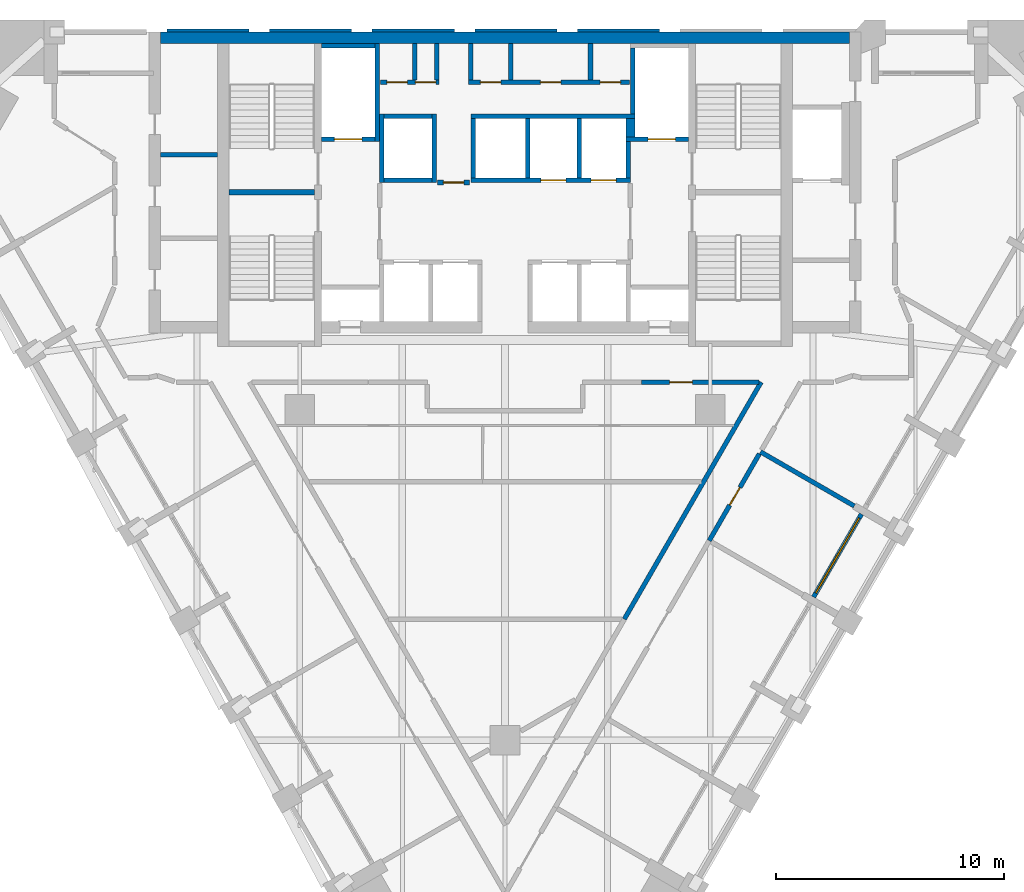
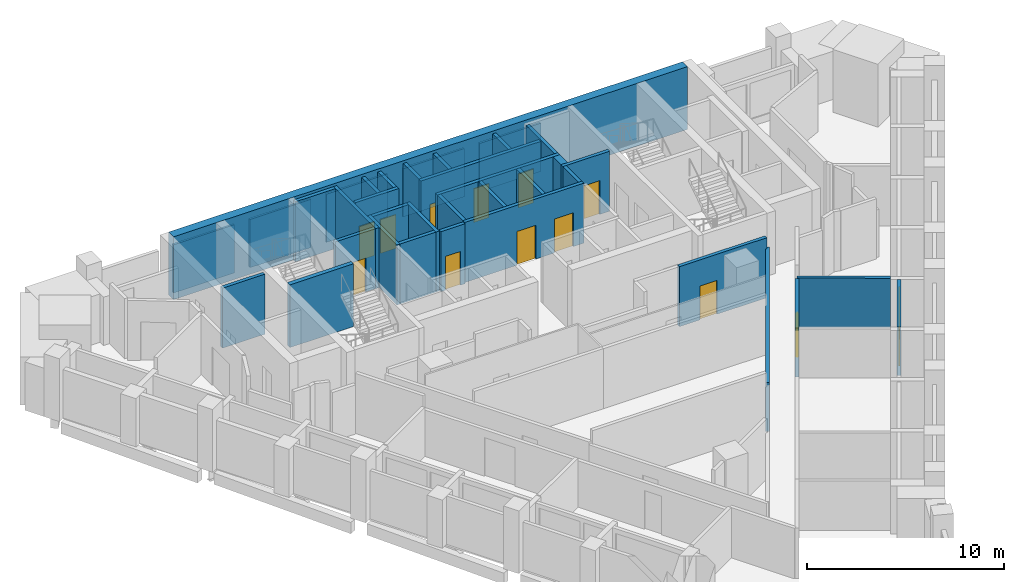
# One storey, part 6 of 10: 37 walls, 12 doors, 1 window, 13 openings.
"""IFC4 building model written with IfcOpenShell, lengths in metres."""

from ifc_helpers import new_model, si_unit, direction, frame, frame_2d, origin, place, context, subcontext, project, spatial, polyline, rectangle, outline, extrude, material, layer, layer_set, type_object, element, fill, save


model = new_model("IFC4")

# Units and contexts
model_context = context("Model", 3, precision=1e-05, world=origin(), true_north=direction((0.0, 1.0)))
body_context = subcontext(model_context, "Body", "Model", "MODEL_VIEW")
ifc_project = project(units=[si_unit("LENGTHUNIT", "METRE"), si_unit("AREAUNIT", "SQUARE_METRE"), si_unit("VOLUMEUNIT", "CUBIC_METRE"), si_unit("PLANEANGLEUNIT", "RADIAN"), si_unit("MASSUNIT", "GRAM", prefix="KILO")], contexts=[model_context])

# Site, building, storey
site_placement = place(None, origin())
site = spatial("IfcSite", under=ifc_project, at=site_placement, CompositionType="ELEMENT")
building_placement = place(site_placement, origin())
building = spatial("IfcBuilding", under=site, at=building_placement, Name="Calabash Gate Tower", CompositionType="ELEMENT")
storey_placement = place(building_placement, frame((0.0, 0.0, 175.800048828125)))
storey = spatial("IfcBuildingStorey", under=building, at=storey_placement, Name="L41", CompositionType="ELEMENT", Elevation=175.800048828125)

# Walls
ifc_material_1 = material(Name="Gypsum board on steel studs, mineral wool", Category="steel")
ifc_layer_1 = layer(ifc_material_1, 0.199951171875)
ifc_layer_set_1 = layer_set([ifc_layer_1], Name="Core partition 200 gypsum board")
wall_type_1 = type_object("IfcWallType", Name="Core partition 200 gypsum board", PredefinedType="PARTITIONING", material=ifc_layer_set_1)
wall_1_placement = place(storey_placement, frame((-15.10009765625, 13.672607421875, 0.0), z_axis=(0.0, 0.0, 1.0), x_axis=(1.0, 0.0, 0.0)))
element("IfcWall", 1, at=wall_1_placement, inside=storey, type_object=wall_type_1, Name="Core partition", PredefinedType="PARTITIONING", context=body_context, shape_type="SweptSolid", body=[
    extrude(rectangle(XDim=2.5, YDim=0.199951171875, at=frame_2d((1.25, 0.0))), origin(), (0.0, 0.0, 1.0), 3.72998046875),
])
for number, where, z_axis, x_axis, name in (
    (2, (-3.949951171875, 16.95263671875, 0.0), (0.0, 0.0, 1.0), (0.0, 1.0, 0.0), "Core partition"),
    (3, (-3.0, 16.95263671875, 0.0), (0.0, 0.0, 1.0), (0.0, 1.0, 0.0), "Core partition"),
    (4, (-1.5, 16.95263671875, 0.0), (0.0, 0.0, 1.0), (0.0, 1.0, 0.0), "Core partition"),
    (5, (0.25, 16.95263671875, 0.0), (0.0, 0.0, 1.0), (0.0, 1.0, 0.0), "Core partition"),
    (6, (3.75, 16.95263671875, 0.0), (0.0, 0.0, 1.0), (0.0, 1.0, 0.0), "Core partition"),
):
    element("IfcWall", number, at=place(storey_placement, frame(where, z_axis=z_axis, x_axis=x_axis)), inside=storey, type_object=wall_type_1, Name=name, PredefinedType="PARTITIONING", context=body_context, shape_type="SweptSolid", body=[
        extrude(rectangle(XDim=1.599853515625, YDim=0.199951171875, at=frame_2d((0.7998046875, 0.0))), origin(), (0.0, 0.0, 1.0), 3.72998046875),
    ])
ifc_material_2 = material(Name="Concrete C70/85", Category="concrete")
ifc_layer_2 = layer(ifc_material_2, 0.25)
ifc_layer_set_2 = layer_set([ifc_layer_2], Name="Core wall 250 Concrete C70/85")
wall_type_2 = type_object("IfcWallType", Name="Core wall 250 Concrete C70/85", PredefinedType="SHEAR", material=ifc_layer_set_2)
wall_2_placement = place(storey_placement, frame((-12.10009765625, 12.027587890625, 0.0), z_axis=(0.0, 0.0, 1.0), x_axis=(1.0, 0.0, 0.0)))
element("IfcWall", 7, at=wall_2_placement, inside=storey, type_object=wall_type_2, Name="Core wall Z3-MIDW L41", PredefinedType="SHEAR", context=body_context, shape_type="SweptSolid", body=[
    extrude(rectangle(XDim=3.75, YDim=0.25, at=frame_2d((1.875, 0.0))), origin(), (0.0, 0.0, 1.0), 3.89990234375),
])
ifc_material_3 = material(Name="Concrete C70/85", Category="concrete")
ifc_layer_3 = layer(ifc_material_3, 0.5)
ifc_layer_set_3 = layer_set([ifc_layer_3], Name="Core wall 500 Concrete C70/85")
wall_type_3 = type_object("IfcWallType", Name="Core wall 500 Concrete C70/85", PredefinedType="SHEAR", material=ifc_layer_set_3)
wall_3_placement = place(storey_placement, frame((-15.10009765625, 18.802490234375, 0.0), z_axis=(0.0, 0.0, 1.0), x_axis=(1.0, 0.0, 0.0)))
element("IfcWall", 8, at=wall_3_placement, inside=storey, type_object=wall_type_3, Name="Core wall Z3-N L41", PredefinedType="SHEAR", context=body_context, shape_type="SweptSolid", body=[
    extrude(rectangle(XDim=30.2001953125, YDim=0.5, at=frame_2d((15.10009765625, 0.0))), origin(), (0.0, 0.0, 1.0), 3.89990234375),
])
ifc_material_4 = material(Name="Gypsum board on steel studs, mineral wool", Category="steel")
ifc_layer_4 = layer(ifc_material_4, 0.199951171875)
ifc_layer_set_4 = layer_set([ifc_layer_4], Name="Partition 200 gypsum board EI 60")
wall_type_4 = type_object("IfcWallType", Name="Partition 200 gypsum board EI 60", PredefinedType="PARTITIONING", material=ifc_layer_set_4)
wall_4_placement = place(storey_placement, frame((5.232666015625, -6.6884765625, 0.0), z_axis=(0.0, 0.0, 1.0), x_axis=(0.499991401208, 0.866030368243, 0.0)))
element("IfcWall", 9, at=wall_4_placement, inside=storey, type_object=wall_type_4, Name="Partition", PredefinedType="PARTITIONING", context=body_context, shape_type="SweptSolid", body=[
    extrude(rectangle(XDim=11.996337890625, YDim=0.199951171875, at=frame_2d((5.998046875, 0.0))), origin(), (0.0, 0.0, 1.0), 3.0517578125),
])

# Wall, opening, door
wall_5_placement = place(storey_placement, frame((8.95361328125, -3.251708984375, 0.0), z_axis=(0.0, 0.0, 1.0), x_axis=(0.499989943423, 0.866031209874, 0.0)))
wall_5 = element("IfcWall", 10, at=wall_5_placement, inside=storey, type_object=wall_type_4, Name="Partition", PredefinedType="PARTITIONING", context=body_context, shape_type="SweptSolid", body=[
    extrude(rectangle(XDim=4.39794921875, YDim=0.199951171875, at=frame_2d((2.198974609375, 0.0))), origin(), (0.0, 0.0, 1.0), 3.0517578125),
])
opening_1_placement = place(wall_5_placement, frame((1.798095703125, 0.0, 0.0)))
opening_1 = element("IfcOpeningElement", 11, at=opening_1_placement, cuts=wall_5, Name="Opening 39-41-005", PredefinedType="OPENING", context=body_context, shape_type="SweptSolid", body=[
    extrude(rectangle(XDim=0.89990234375, YDim=2.10009765625, at=frame_2d((0.449951171875, 1.050048828125))), frame((0.0, 0.10986328125, 0.0), z_axis=(0.0, -1.0, 0.0), x_axis=(1.0, 0.0, 0.0)), (0.0, 0.0, 1.0), 0.219970703125),
])
ifc_material_5 = material(Name="Steel fire door set with fire-resisting glazing", Category="steel")
door_type_1 = type_object("IfcDoorType", Name="SD3 Store door 900x2100", OperationType="NOTDEFINED", PredefinedType="DOOR", material=ifc_material_5)
door_1_placement = place(opening_1_placement, origin())
door_1 = element("IfcDoor", 12, at=door_1_placement, inside=storey, type_object=door_type_1, Name="Store door", OperationType="SINGLE_SWING_LEFT", OverallHeight=2.10009765625, OverallWidth=0.89990234375, PredefinedType="DOOR", context=body_context, shape_type="SweptSolid", body=[
    extrude(rectangle(XDim=0.89990234375, YDim=2.10009765625, at=frame_2d((0.449951171875, 1.050048828125))), frame((0.0, 0.02490234375, 0.0), z_axis=(0.0, -1.0, 0.0), x_axis=(1.0, 0.0, 0.0)), (0.0, 0.0, 1.0), 0.050048828125),
])
fill(opening_1, door_1)

# Wall
wall_6_placement = place(storey_placement, frame((11.2021484375, 0.646240234375, 0.0), z_axis=(0.0, 0.0, 1.0), x_axis=(0.865857651242, -0.500290443428, 0.0)))
element("IfcWall", 13, at=wall_6_placement, inside=storey, type_object=wall_type_4, Name="Partition", PredefinedType="PARTITIONING", context=body_context, shape_type="SweptSolid", body=[
    extrude(rectangle(XDim=4.749755859375, YDim=0.199951171875, at=frame_2d((2.375, 0.0))), origin(), (0.0, 0.0, 1.0), 3.0517578125),
])

# Wall, opening, door
wall_7_placement = place(storey_placement, frame((5.99365234375, 3.699951171875, 0.0), z_axis=(0.0, 0.0, 1.0), x_axis=(0.999999998871, -4.7510452e-05, 0.0)))
wall_7 = element("IfcWall", 14, at=wall_7_placement, inside=storey, type_object=wall_type_4, Name="Partition", PredefinedType="PARTITIONING", context=body_context, shape_type="SweptSolid", body=[
    extrude(rectangle(XDim=5.138671875, YDim=0.199951171875, at=frame_2d((2.5693359375, 0.0))), origin(), (0.0, 0.0, 1.0), 3.72998046875),
])
opening_2_placement = place(wall_7_placement, frame((1.222412109375, 0.0, 0.0)))
opening_2 = element("IfcOpeningElement", 15, at=opening_2_placement, cuts=wall_7, Name="Opening 39-41-014", PredefinedType="OPENING", context=body_context, shape_type="SweptSolid", body=[
    extrude(rectangle(XDim=1.0, YDim=2.10009765625, at=frame_2d((0.5, 1.050048828125))), frame((0.0, 0.10986328125, 0.0), z_axis=(0.0, -1.0, 0.0), x_axis=(1.0, 0.0, 0.0)), (0.0, 0.0, 1.0), 0.219970703125),
])
ifc_material_6 = material(Name="Steel fire door set with fire-resisting glazing", Category="steel")
door_type_2 = type_object("IfcDoorType", Name="WD3 WC lobby door 1000x2100", OperationType="NOTDEFINED", PredefinedType="DOOR", material=ifc_material_6)
door_2_placement = place(opening_2_placement, origin())
door_2 = element("IfcDoor", 16, at=door_2_placement, inside=storey, type_object=door_type_2, Name="WC lobby door", OperationType="SINGLE_SWING_RIGHT", OverallHeight=2.10009765625, OverallWidth=1.0, PredefinedType="DOOR", context=body_context, shape_type="SweptSolid", body=[
    extrude(rectangle(XDim=1.0, YDim=2.10009765625, at=frame_2d((0.5, 1.050048828125))), frame((0.0, 0.02490234375, 0.0), z_axis=(0.0, -1.0, 0.0), x_axis=(1.0, 0.0, 0.0)), (0.0, 0.0, 1.0), 0.050048828125),
])
fill(opening_2, door_2)

ifc_material_7 = material(Name="Concrete C40/50", Category="concrete")
ifc_layer_5 = layer(ifc_material_7, 0.199951171875)
ifc_layer_set_5 = layer_set([ifc_layer_5], Name="Shaft wall 200 Concrete C40/50")
wall_type_5 = type_object("IfcWallType", Name="Shaft wall 200 Concrete C40/50", PredefinedType="SOLIDWALL", material=ifc_layer_set_5)
wall_8_placement = place(storey_placement, frame((-2.949951171875, 12.45263671875, 0.0), z_axis=(0.0, 0.0, 1.0), x_axis=(1.0, 0.0, 0.0)))
wall_8 = element("IfcWall", 17, at=wall_8_placement, inside=storey, type_object=wall_type_5, Name="Shaft wall", PredefinedType="SOLIDWALL", context=body_context, shape_type="SweptSolid", body=[
    extrude(rectangle(XDim=1.39990234375, YDim=0.199951171875, at=frame_2d((0.699951171875, 0.0))), origin(), (0.0, 0.0, 1.0), 3.72998046875),
])
opening_3_placement = place(wall_8_placement, frame((0.25, 0.0, 0.0)))
opening_3 = element("IfcOpeningElement", 18, at=opening_3_placement, cuts=wall_8, Name="Opening O3-007", PredefinedType="OPENING", context=body_context, shape_type="SweptSolid", body=[
    extrude(rectangle(XDim=0.89990234375, YDim=2.10009765625, at=frame_2d((0.449951171875, 1.050048828125))), frame((0.0, 0.10986328125, 0.0), z_axis=(0.0, -1.0, 0.0), x_axis=(1.0, 0.0, 0.0)), (0.0, 0.0, 1.0), 0.219970703125),
])
ifc_material_8 = material(Name="Steel fire door set with fire-resisting glazing", Category="steel")
door_type_3 = type_object("IfcDoorType", Name="Fire door D06 900x2100 FD60", OperationType="NOTDEFINED", PredefinedType="DOOR", material=ifc_material_8)
door_3_placement = place(opening_3_placement, origin())
door_3 = element("IfcDoor", 19, at=door_3_placement, inside=storey, type_object=door_type_3, Name="Service Corridor door", OperationType="SINGLE_SWING_RIGHT", OverallHeight=2.10009765625, OverallWidth=0.89990234375, PredefinedType="DOOR", context=body_context, shape_type="SweptSolid", body=[
    extrude(rectangle(XDim=0.89990234375, YDim=2.10009765625, at=frame_2d((0.449951171875, 1.050048828125))), frame((0.0, 0.02490234375, 0.0), z_axis=(0.0, -1.0, 0.0), x_axis=(1.0, 0.0, 0.0)), (0.0, 0.0, 1.0), 0.050048828125),
])
fill(opening_3, door_3)

# Walls
wall_9_placement = place(storey_placement, frame((-5.39990234375, 12.45263671875, 0.0), z_axis=(0.0, 0.0, 1.0), x_axis=(0.0, 1.0, 0.0)))
element("IfcWall", 20, at=wall_9_placement, inside=storey, type_object=wall_type_5, Name="Shaft wall", PredefinedType="SOLIDWALL", context=body_context, shape_type="SweptSolid", body=[
    extrude(rectangle(XDim=3.0, YDim=0.199951171875, at=frame_2d((1.5, 0.0))), origin(), (0.0, 0.0, 1.0), 3.72998046875),
])
wall_10_placement = place(storey_placement, frame((-5.300048828125, 12.552490234375, 0.0), z_axis=(0.0, 0.0, 1.0), x_axis=(1.0, 0.0, 0.0)))
element("IfcWall", 21, at=wall_10_placement, inside=storey, type_object=wall_type_5, Name="Shaft wall", PredefinedType="SOLIDWALL", context=body_context, shape_type="SweptSolid", body=[
    extrude(rectangle(XDim=2.10009765625, YDim=0.199951171875, at=frame_2d((1.050048828125, 0.0))), origin(), (0.0, 0.0, 1.0), 3.72998046875),
])
wall_11_placement = place(storey_placement, frame((-3.10009765625, 12.45263671875, 0.0), z_axis=(0.0, 0.0, 1.0), x_axis=(0.0, 1.0, 0.0)))
element("IfcWall", 22, at=wall_11_placement, inside=storey, type_object=wall_type_5, Name="Shaft wall", PredefinedType="SOLIDWALL", context=body_context, shape_type="SweptSolid", body=[
    extrude(rectangle(XDim=3.0, YDim=0.199951171875, at=frame_2d((1.5, 0.0))), origin(), (0.0, 0.0, 1.0), 3.72998046875),
])

# Wall, openings, doors
wall_12_placement = place(storey_placement, frame((-1.5, 12.552490234375, 0.0), z_axis=(0.0, 0.0, 1.0), x_axis=(1.0, 0.0, 0.0)))
wall_12 = element("IfcWall", 23, at=wall_12_placement, inside=storey, type_object=wall_type_5, Name="Shaft wall", PredefinedType="SOLIDWALL", context=body_context, shape_type="SweptSolid", body=[
    extrude(rectangle(XDim=7.0, YDim=0.199951171875, at=frame_2d((3.5, 0.0))), origin(), (0.0, 0.0, 1.0), 3.72998046875),
])
opening_4_placement = place(wall_12_placement, frame((3.074951171875, 0.0, 0.0)))
opening_4 = element("IfcOpeningElement", 24, at=opening_4_placement, cuts=wall_12, Name="Opening LD-HR5", PredefinedType="OPENING", context=body_context, shape_type="SweptSolid", body=[
    extrude(rectangle(XDim=1.10009765625, YDim=2.10009765625, at=frame_2d((0.550048828125, 1.050048828125))), frame((0.0, 0.10986328125, 0.0), z_axis=(0.0, -1.0, 0.0), x_axis=(1.0, 0.0, 0.0)), (0.0, 0.0, 1.0), 0.219970703125),
])
opening_5_placement = place(wall_12_placement, frame((5.27490234375, 0.0, 0.0)))
opening_5 = element("IfcOpeningElement", 25, at=opening_5_placement, cuts=wall_12, Name="Opening LD-HR6", PredefinedType="OPENING", context=body_context, shape_type="SweptSolid", body=[
    extrude(rectangle(XDim=1.10009765625, YDim=2.10009765625, at=frame_2d((0.550048828125, 1.050048828125))), frame((0.0, 0.10986328125, 0.0), z_axis=(0.0, -1.0, 0.0), x_axis=(1.0, 0.0, 0.0)), (0.0, 0.0, 1.0), 0.219970703125),
])
ifc_material_9 = material(Name="Stainless steel sliding door leaves", Category="steel")
door_type_4 = type_object("IfcDoorType", Name="Lift landing door LS1 1100x2100 FD90", OperationType="DOUBLE_DOOR_SLIDING", PredefinedType="DOOR", material=ifc_material_9)
door_4_placement = place(opening_4_placement, origin())
door_4 = element("IfcDoor", 26, at=door_4_placement, inside=storey, type_object=door_type_4, Name="Lift landing door HR5", OperationType="DOUBLE_DOOR_SLIDING", OverallHeight=2.10009765625, OverallWidth=1.10009765625, PredefinedType="DOOR", context=body_context, shape_type="SweptSolid", body=[
    extrude(rectangle(XDim=1.10009765625, YDim=2.10009765625, at=frame_2d((0.550048828125, 1.050048828125))), frame((0.0, 0.02490234375, 0.0), z_axis=(0.0, -1.0, 0.0), x_axis=(1.0, 0.0, 0.0)), (0.0, 0.0, 1.0), 0.050048828125),
])
fill(opening_4, door_4)
door_5_placement = place(opening_5_placement, origin())
door_5 = element("IfcDoor", 27, at=door_5_placement, inside=storey, type_object=door_type_4, Name="Lift landing door HR6", OperationType="DOUBLE_DOOR_SLIDING", OverallHeight=2.10009765625, OverallWidth=1.10009765625, PredefinedType="DOOR", context=body_context, shape_type="SweptSolid", body=[
    extrude(rectangle(XDim=1.10009765625, YDim=2.10009765625, at=frame_2d((0.550048828125, 1.050048828125))), frame((0.0, 0.02490234375, 0.0), z_axis=(0.0, -1.0, 0.0), x_axis=(1.0, 0.0, 0.0)), (0.0, 0.0, 1.0), 0.050048828125),
])
fill(opening_5, door_5)

# Walls
for number, where, z_axis, x_axis, name in (
    (28, (-1.39990234375, 12.652587890625, 0.0), (0.0, 0.0, 1.0), (0.0, 1.0, 0.0), "Shaft wall"),
    (29, (1.0, 12.652587890625, 0.0), (0.0, 0.0, 1.0), (0.0, 1.0, 0.0), "Shaft wall"),
    (30, (3.25, 12.652587890625, 0.0), (0.0, 0.0, 1.0), (0.0, 1.0, 0.0), "Shaft wall"),
):
    element("IfcWall", number, at=place(storey_placement, frame(where, z_axis=z_axis, x_axis=x_axis)), inside=storey, type_object=wall_type_5, Name=name, PredefinedType="SOLIDWALL", context=body_context, shape_type="SweptSolid", body=[
        extrude(rectangle(XDim=2.60009765625, YDim=0.199951171875, at=frame_2d((1.300048828125, 0.0))), origin(), (0.0, 0.0, 1.0), 3.72998046875),
    ])
wall_13_placement = place(storey_placement, frame((5.39990234375, 12.652587890625, 0.0), z_axis=(0.0, 0.0, 1.0), x_axis=(0.0, 1.0, 0.0)))
element("IfcWall", 31, at=wall_13_placement, inside=storey, type_object=wall_type_5, Name="Shaft wall", PredefinedType="SOLIDWALL", context=body_context, shape_type="SweptSolid", body=[
    extrude(rectangle(XDim=1.60009765625, YDim=0.199951171875, at=frame_2d((0.800048828125, 0.0))), origin(), (0.0, 0.0, 1.0), 3.72998046875),
])

# Wall, opening, door
wall_14_placement = place(storey_placement, frame((-8.050048828125, 14.3525390625, 0.0), z_axis=(0.0, 0.0, 1.0), x_axis=(1.0, 0.0, 0.0)))
wall_14 = element("IfcWall", 32, at=wall_14_placement, inside=storey, type_object=wall_type_5, Name="Shaft wall", PredefinedType="SOLIDWALL", context=body_context, shape_type="SweptSolid", body=[
    extrude(rectangle(XDim=2.35009765625, YDim=0.199951171875, at=frame_2d((1.175048828125, 0.0))), origin(), (0.0, 0.0, 1.0), 3.72998046875),
])
opening_6_placement = place(wall_14_placement, frame((0.574951171875, 0.0, 0.0)))
opening_6 = element("IfcOpeningElement", 33, at=opening_6_placement, cuts=wall_14, Name="Opening LD-FF1", PredefinedType="OPENING", context=body_context, shape_type="SweptSolid", body=[
    extrude(rectangle(XDim=1.199951171875, YDim=2.10009765625, at=frame_2d((0.60009765625, 1.050048828125))), frame((0.0, 0.10986328125, 0.0), z_axis=(0.0, -1.0, 0.0), x_axis=(1.0, 0.0, 0.0)), (0.0, 0.0, 1.0), 0.219970703125),
])
ifc_material_10 = material(Name="Stainless steel sliding door leaves", Category="steel")
door_type_5 = type_object("IfcDoorType", Name="Lift landing door LS3 1200x2100 FD90", OperationType="DOUBLE_DOOR_SLIDING", PredefinedType="DOOR", material=ifc_material_10)
door_6_placement = place(opening_6_placement, origin())
door_6 = element("IfcDoor", 34, at=door_6_placement, inside=storey, type_object=door_type_5, Name="Lift landing door FF1", OperationType="DOUBLE_DOOR_SLIDING", OverallHeight=2.10009765625, OverallWidth=1.199951171875, PredefinedType="DOOR", context=body_context, shape_type="SweptSolid", body=[
    extrude(rectangle(XDim=1.199951171875, YDim=2.10009765625, at=frame_2d((0.60009765625, 1.050048828125))), frame((0.0, 0.02490234375, 0.0), z_axis=(0.0, -1.0, 0.0), x_axis=(1.0, 0.0, 0.0)), (0.0, 0.0, 1.0), 0.050048828125),
])
fill(opening_6, door_6)

# Wall
wall_15_placement = place(storey_placement, frame((-5.60009765625, 14.252685546875, 0.0), z_axis=(0.0, 0.0, 1.0), x_axis=(0.0, 1.0, 0.0)))
element("IfcWall", 35, at=wall_15_placement, inside=storey, type_object=wall_type_5, Name="Shaft wall", PredefinedType="SOLIDWALL", context=body_context, shape_type="SweptSolid", body=[
    extrude(rectangle(XDim=4.2998046875, YDim=0.199951171875, at=frame_2d((2.14990234375, 0.0))), origin(), (0.0, 0.0, 1.0), 3.72998046875),
])

# Wall, opening, door
wall_16_placement = place(storey_placement, frame((5.300048828125, 14.3525390625, 0.0), z_axis=(0.0, 0.0, 1.0), x_axis=(1.0, 0.0, 0.0)))
wall_16 = element("IfcWall", 36, at=wall_16_placement, inside=storey, type_object=wall_type_5, Name="Shaft wall", PredefinedType="SOLIDWALL", context=body_context, shape_type="SweptSolid", body=[
    extrude(rectangle(XDim=2.75, YDim=0.199951171875, at=frame_2d((1.375, 0.0))), origin(), (0.0, 0.0, 1.0), 3.72998046875),
])
opening_7_placement = place(wall_16_placement, frame((0.97509765625, 0.0, 0.0)))
opening_7 = element("IfcOpeningElement", 37, at=opening_7_placement, cuts=wall_16, Name="Opening LD-FF2", PredefinedType="OPENING", context=body_context, shape_type="SweptSolid", body=[
    extrude(rectangle(XDim=1.199951171875, YDim=2.10009765625, at=frame_2d((0.60009765625, 1.050048828125))), frame((0.0, 0.10986328125, 0.0), z_axis=(0.0, -1.0, 0.0), x_axis=(1.0, 0.0, 0.0)), (0.0, 0.0, 1.0), 0.219970703125),
])
door_7_placement = place(opening_7_placement, origin())
door_7 = element("IfcDoor", 38, at=door_7_placement, inside=storey, type_object=door_type_5, Name="Lift landing door FF2", OperationType="DOUBLE_DOOR_SLIDING", OverallHeight=2.10009765625, OverallWidth=1.199951171875, PredefinedType="DOOR", context=body_context, shape_type="SweptSolid", body=[
    extrude(rectangle(XDim=1.199951171875, YDim=2.10009765625, at=frame_2d((0.60009765625, 1.050048828125))), frame((0.0, 0.02490234375, 0.0), z_axis=(0.0, -1.0, 0.0), x_axis=(1.0, 0.0, 0.0)), (0.0, 0.0, 1.0), 0.050048828125),
])
fill(opening_7, door_7)

# Walls
wall_17_placement = place(storey_placement, frame((5.5, 14.45263671875, 0.0), z_axis=(0.0, 0.0, 1.0), x_axis=(0.0, 1.0, 0.0)))
element("IfcWall", 39, at=wall_17_placement, inside=storey, type_object=wall_type_5, Name="Shaft wall", PredefinedType="SOLIDWALL", context=body_context, shape_type="SweptSolid", body=[
    extrude(rectangle(XDim=0.800048828125, YDim=0.39990234375, at=frame_2d((0.39990234375, 0.0))), origin(), (0.0, 0.0, 1.0), 3.72998046875),
])
wall_18_placement = place(storey_placement, frame((-5.300048828125, 15.3525390625, 0.0), z_axis=(0.0, 0.0, 1.0), x_axis=(1.0, 0.0, 0.0)))
element("IfcWall", 40, at=wall_18_placement, inside=storey, type_object=wall_type_5, Name="Shaft wall", PredefinedType="SOLIDWALL", context=body_context, shape_type="SweptSolid", body=[
    extrude(rectangle(XDim=2.10009765625, YDim=0.199951171875, at=frame_2d((1.050048828125, 0.0))), origin(), (0.0, 0.0, 1.0), 3.72998046875),
])
wall_19_placement = place(storey_placement, frame((-1.5, 15.3525390625, 0.0), z_axis=(0.0, 0.0, 1.0), x_axis=(1.0, 0.0, 0.0)))
element("IfcWall", 41, at=wall_19_placement, inside=storey, type_object=wall_type_5, Name="Shaft wall", PredefinedType="SOLIDWALL", context=body_context, shape_type="SweptSolid", body=[
    extrude(rectangle(XDim=7.199951171875, YDim=0.199951171875, at=frame_2d((3.60009765625, 0.0))), origin(), (0.0, 0.0, 1.0), 3.72998046875),
])
wall_20_placement = place(storey_placement, frame((5.60009765625, 15.45263671875, 0.0), z_axis=(0.0, 0.0, 1.0), x_axis=(0.0, 1.0, 0.0)))
element("IfcWall", 42, at=wall_20_placement, inside=storey, type_object=wall_type_5, Name="Shaft wall", PredefinedType="SOLIDWALL", context=body_context, shape_type="SweptSolid", body=[
    extrude(rectangle(XDim=2.89990234375, YDim=0.199951171875, at=frame_2d((1.449951171875, 0.0))), origin(), (0.0, 0.0, 1.0), 3.72998046875),
])

# Wall, openings, doors
wall_21_placement = place(storey_placement, frame((-5.449951171875, 16.8525390625, 0.0), z_axis=(0.0, 0.0, 1.0), x_axis=(1.0, 0.0, 0.0)))
wall_21 = element("IfcWall", 43, at=wall_21_placement, inside=storey, type_object=wall_type_5, Name="Shaft wall", PredefinedType="SOLIDWALL", context=body_context, shape_type="SweptSolid", body=[
    extrude(rectangle(XDim=2.550048828125, YDim=0.199951171875, at=frame_2d((1.27490234375, 0.0))), origin(), (0.0, 0.0, 1.0), 3.72998046875),
])
opening_8_placement = place(wall_21_placement, frame((0.27490234375, 0.0, 0.0)))
opening_8 = element("IfcOpeningElement", 44, at=opening_8_placement, cuts=wall_21, Name="Opening O3-010", PredefinedType="OPENING", context=body_context, shape_type="SweptSolid", body=[
    extrude(rectangle(XDim=0.89990234375, YDim=2.10009765625, at=frame_2d((0.449951171875, 1.050048828125))), frame((0.0, 0.10986328125, 0.0), z_axis=(0.0, -1.0, 0.0), x_axis=(1.0, 0.0, 0.0)), (0.0, 0.0, 1.0), 0.219970703125),
])
opening_9_placement = place(wall_21_placement, frame((1.52490234375, 0.0, 0.0)))
opening_9 = element("IfcOpeningElement", 45, at=opening_9_placement, cuts=wall_21, Name="Opening O3-011", PredefinedType="OPENING", context=body_context, shape_type="SweptSolid", body=[
    extrude(rectangle(XDim=0.89990234375, YDim=2.10009765625, at=frame_2d((0.449951171875, 1.050048828125))), frame((0.0, 0.10986328125, 0.0), z_axis=(0.0, -1.0, 0.0), x_axis=(1.0, 0.0, 0.0)), (0.0, 0.0, 1.0), 0.219970703125),
])
door_8_placement = place(opening_8_placement, origin())
door_8 = element("IfcDoor", 46, at=door_8_placement, inside=storey, type_object=door_type_3, Name="Accessible WC door", OperationType="SINGLE_SWING_LEFT", OverallHeight=2.10009765625, OverallWidth=0.89990234375, PredefinedType="DOOR", context=body_context, shape_type="SweptSolid", body=[
    extrude(rectangle(XDim=0.89990234375, YDim=2.10009765625, at=frame_2d((0.449951171875, 1.050048828125))), frame((0.0, 0.02490234375, 0.0), z_axis=(0.0, -1.0, 0.0), x_axis=(1.0, 0.0, 0.0)), (0.0, 0.0, 1.0), 0.050048828125),
])
fill(opening_8, door_8)
door_9_placement = place(opening_9_placement, origin())
door_9 = element("IfcDoor", 47, at=door_9_placement, inside=storey, type_object=door_type_3, Name="Print Room door", OperationType="SINGLE_SWING_LEFT", OverallHeight=2.10009765625, OverallWidth=0.89990234375, PredefinedType="DOOR", context=body_context, shape_type="SweptSolid", body=[
    extrude(rectangle(XDim=0.89990234375, YDim=2.10009765625, at=frame_2d((0.449951171875, 1.050048828125))), frame((0.0, 0.02490234375, 0.0), z_axis=(0.0, -1.0, 0.0), x_axis=(1.0, 0.0, 0.0)), (0.0, 0.0, 1.0), 0.050048828125),
])
fill(opening_9, door_9)

wall_22_placement = place(storey_placement, frame((-1.60009765625, 16.8525390625, 0.0), z_axis=(0.0, 0.0, 1.0), x_axis=(1.0, 0.0, 0.0)))
wall_22 = element("IfcWall", 48, at=wall_22_placement, inside=storey, type_object=wall_type_5, Name="Shaft wall", PredefinedType="SOLIDWALL", context=body_context, shape_type="SweptSolid", body=[
    extrude(rectangle(XDim=7.050048828125, YDim=0.199951171875, at=frame_2d((3.52490234375, 0.0))), origin(), (0.0, 0.0, 1.0), 3.72998046875),
])
opening_10_placement = place(wall_22_placement, frame((0.52490234375, 0.0, 0.0)))
opening_10 = element("IfcOpeningElement", 49, at=opening_10_placement, cuts=wall_22, Name="Opening O3-012", PredefinedType="OPENING", context=body_context, shape_type="SweptSolid", body=[
    extrude(rectangle(XDim=0.89990234375, YDim=2.10009765625, at=frame_2d((0.449951171875, 1.050048828125))), frame((0.0, 0.10986328125, 0.0), z_axis=(0.0, -1.0, 0.0), x_axis=(1.0, 0.0, 0.0)), (0.0, 0.0, 1.0), 0.219970703125),
])
opening_11_placement = place(wall_22_placement, frame((3.14990234375, 0.0, 0.0)))
opening_11 = element("IfcOpeningElement", 50, at=opening_11_placement, cuts=wall_22, Name="Opening O3-013", PredefinedType="OPENING", context=body_context, shape_type="SweptSolid", body=[
    extrude(rectangle(XDim=0.89990234375, YDim=2.10009765625, at=frame_2d((0.449951171875, 1.050048828125))), frame((0.0, 0.10986328125, 0.0), z_axis=(0.0, -1.0, 0.0), x_axis=(1.0, 0.0, 0.0)), (0.0, 0.0, 1.0), 0.219970703125),
])
opening_12_placement = place(wall_22_placement, frame((5.77490234375, 0.0, 0.0)))
opening_12 = element("IfcOpeningElement", 51, at=opening_12_placement, cuts=wall_22, Name="Opening O3-014", PredefinedType="OPENING", context=body_context, shape_type="SweptSolid", body=[
    extrude(rectangle(XDim=0.89990234375, YDim=2.10009765625, at=frame_2d((0.449951171875, 1.050048828125))), frame((0.0, 0.10986328125, 0.0), z_axis=(0.0, -1.0, 0.0), x_axis=(1.0, 0.0, 0.0)), (0.0, 0.0, 1.0), 0.219970703125),
])
door_10_placement = place(opening_10_placement, origin())
door_10 = element("IfcDoor", 52, at=door_10_placement, inside=storey, type_object=door_type_3, Name="Meter Room door", OperationType="SINGLE_SWING_LEFT", OverallHeight=2.10009765625, OverallWidth=0.89990234375, PredefinedType="DOOR", context=body_context, shape_type="SweptSolid", body=[
    extrude(rectangle(XDim=0.89990234375, YDim=2.10009765625, at=frame_2d((0.449951171875, 1.050048828125))), frame((0.0, 0.02490234375, 0.0), z_axis=(0.0, -1.0, 0.0), x_axis=(1.0, 0.0, 0.0)), (0.0, 0.0, 1.0), 0.050048828125),
])
fill(opening_10, door_10)
door_11_placement = place(opening_11_placement, origin())
door_11 = element("IfcDoor", 53, at=door_11_placement, inside=storey, type_object=door_type_3, Name="Cleaner's Store door", OperationType="SINGLE_SWING_LEFT", OverallHeight=2.10009765625, OverallWidth=0.89990234375, PredefinedType="DOOR", context=body_context, shape_type="SweptSolid", body=[
    extrude(rectangle(XDim=0.89990234375, YDim=2.10009765625, at=frame_2d((0.449951171875, 1.050048828125))), frame((0.0, 0.02490234375, 0.0), z_axis=(0.0, -1.0, 0.0), x_axis=(1.0, 0.0, 0.0)), (0.0, 0.0, 1.0), 0.050048828125),
])
fill(opening_11, door_11)
door_12_placement = place(opening_12_placement, origin())
door_12 = element("IfcDoor", 54, at=door_12_placement, inside=storey, type_object=door_type_3, Name="Tenant Pantry door", OperationType="SINGLE_SWING_RIGHT", OverallHeight=2.10009765625, OverallWidth=0.89990234375, PredefinedType="DOOR", context=body_context, shape_type="SweptSolid", body=[
    extrude(rectangle(XDim=0.89990234375, YDim=2.10009765625, at=frame_2d((0.449951171875, 1.050048828125))), frame((0.0, 0.02490234375, 0.0), z_axis=(0.0, -1.0, 0.0), x_axis=(1.0, 0.0, 0.0)), (0.0, 0.0, 1.0), 0.050048828125),
])
fill(opening_12, door_12)

# Walls
wall_23_placement = place(storey_placement, frame((-8.050048828125, 18.45263671875, 0.0), z_axis=(0.0, 0.0, 1.0), x_axis=(1.0, 0.0, 0.0)))
element("IfcWall", 55, at=wall_23_placement, inside=storey, type_object=wall_type_5, Name="Shaft wall", PredefinedType="SOLIDWALL", context=body_context, shape_type="SweptSolid", body=[
    extrude(rectangle(XDim=2.35009765625, YDim=0.199951171875, at=frame_2d((1.175048828125, 0.0))), origin(), (0.0, 0.0, 1.0), 3.72998046875),
])
ifc_material_11 = material(Name="Terracotta brick masonry, perforated", Category="masonry")
ifc_layer_6 = layer(ifc_material_11, 0.1201171875)
ifc_layer_set_6 = layer_set([ifc_layer_6], Name="Terracotta jaali cladding A 120")
wall_type_6 = type_object("IfcWallType", Name="Terracotta jaali cladding A 120", PredefinedType="SOLIDWALL", material=ifc_layer_set_6)
wall_24_placement = place(storey_placement, origin())
element("IfcWall", 56, at=wall_24_placement, inside=storey, type_object=wall_type_6, Name="Jaali cladding S11 N6.5", PredefinedType="SOLIDWALL", context=body_context, shape_type="SweptSolid", body=[
    extrude(outline(polyline([(-1.3203125, 19.172607421875), (-1.3203125, 19.052490234375), (2.279541015625, 19.052490234375), (2.279541015625, 19.172607421875), (-1.3203125, 19.172607421875)])), origin(), (0.0, 0.0, 1.0), 3.0),
])
wall_25_placement = place(storey_placement, origin())
element("IfcWall", 57, at=wall_25_placement, inside=storey, type_object=wall_type_6, Name="Jaali cladding S11 N6.7", PredefinedType="SOLIDWALL", context=body_context, shape_type="SweptSolid", body=[
    extrude(outline(polyline([(-10.3203125, 19.172607421875), (-10.3203125, 19.052490234375), (-6.720458984375, 19.052490234375), (-6.720458984375, 19.172607421875), (-10.3203125, 19.172607421875)])), origin(), (0.0, 0.0, 1.0), 3.0),
])
ifc_material_12 = material(Name="Terracotta louvre blades in an aluminium frame", Category="masonry")
ifc_layer_7 = layer(ifc_material_12, 0.1201171875)
ifc_layer_set_7 = layer_set([ifc_layer_7], Name="Terracotta vent louvre cladding 120")
wall_type_7 = type_object("IfcWallType", Name="Terracotta vent louvre cladding 120", PredefinedType="ELEMENTEDWALL", material=ifc_layer_set_7)
wall_26_placement = place(storey_placement, origin())
element("IfcWall", 58, at=wall_26_placement, inside=storey, type_object=wall_type_7, Name="Vent louvre cladding S11 N6.4", PredefinedType="ELEMENTEDWALL", context=body_context, shape_type="SweptSolid", body=[
    extrude(outline(polyline([(3.1796875, 19.172607421875), (3.1796875, 19.052490234375), (6.779541015625, 19.052490234375), (6.779541015625, 19.172607421875), (3.1796875, 19.172607421875)])), origin(), (0.0, 0.0, 1.0), 3.0),
])
wall_27_placement = place(storey_placement, origin())
element("IfcWall", 59, at=wall_27_placement, inside=storey, type_object=wall_type_7, Name="Vent louvre cladding S11 N6.6", PredefinedType="ELEMENTEDWALL", context=body_context, shape_type="SweptSolid", body=[
    extrude(outline(polyline([(-5.8203125, 19.172607421875), (-5.8203125, 19.052490234375), (-2.220458984375, 19.052490234375), (-2.220458984375, 19.172607421875), (-5.8203125, 19.172607421875)])), origin(), (0.0, 0.0, 1.0), 3.0),
])
wall_28_placement = place(storey_placement, origin())
element("IfcWall", 60, at=wall_28_placement, inside=storey, type_object=wall_type_7, Name="Vent louvre cladding S11 N6.8", PredefinedType="ELEMENTEDWALL", context=body_context, shape_type="SweptSolid", body=[
    extrude(outline(polyline([(-14.8203125, 19.172607421875), (-14.8203125, 19.052490234375), (-11.220458984375, 19.052490234375), (-11.220458984375, 19.172607421875), (-14.8203125, 19.172607421875)])), origin(), (0.0, 0.0, 1.0), 3.0),
])

# Wall, opening, window
ifc_material_13 = material(Name="Aluminium framed window wall with insulated spandrel", Category="aluminium")
ifc_layer_8 = layer(ifc_material_13, 0.199951171875)
ifc_layer_set_8 = layer_set([ifc_layer_8], Name="Window wall 200")
wall_type_8 = type_object("IfcWallType", Name="Window wall 200", PredefinedType="ELEMENTEDWALL", material=ifc_layer_set_8)
wall_29_placement = place(storey_placement, frame((13.529052734375, -5.722412109375, 0.0), z_axis=(0.0, 0.0, 1.0), x_axis=(0.500027713859, 0.866009402589, 0.0)))
wall_29 = element("IfcWall", 61, at=wall_29_placement, inside=storey, type_object=wall_type_8, Name="Window wall S11 SE4.4", PredefinedType="ELEMENTEDWALL", context=body_context, shape_type="SweptSolid", body=[
    extrude(rectangle(XDim=4.199951171875, YDim=0.199951171875, at=frame_2d((2.10009765625, 0.0))), origin(), (0.0, 0.0, 1.0), 3.0),
])
opening_13_placement = place(wall_29_placement, frame((0.199951171875, 0.0, 0.449951171875)))
opening_13 = element("IfcOpeningElement", 62, at=opening_13_placement, cuts=wall_29, Name="Opening OW2", PredefinedType="OPENING", context=body_context, shape_type="SweptSolid", body=[
    extrude(rectangle(XDim=3.800048828125, YDim=2.25, at=frame_2d((1.89990234375, 1.125))), frame((0.0, 0.10986328125, 0.0), z_axis=(0.0, -1.0, 0.0), x_axis=(1.0, 0.0, 0.0)), (0.0, 0.0, 1.0), 0.219970703125),
])
ifc_material_14 = material(Name="Anodised aluminium frame, bronze finish, impact-rated laminated clear glazing", Category="aluminium")
window_type = type_object("IfcWindowType", Name="Window OW2 3800x2250", PartitioningType="TRIPLE_PANEL_VERTICAL", PredefinedType="WINDOW", material=ifc_material_14)
window_placement = place(opening_13_placement, origin())
window = element("IfcWindow", 63, at=window_placement, inside=storey, type_object=window_type, Name="Window OW2 S11 SE4.4", OverallHeight=2.25, OverallWidth=3.800048828125, PartitioningType="SINGLE_PANEL", PredefinedType="WINDOW", context=body_context, shape_type="SweptSolid", body=[
    extrude(rectangle(XDim=3.800048828125, YDim=2.25, at=frame_2d((1.89990234375, 1.125))), frame((0.0, 0.030029296875, 0.0), z_axis=(0.0, -1.0, 0.0), x_axis=(1.0, 0.0, 0.0)), (0.0, 0.0, 1.0), 0.06005859375),
])
fill(opening_13, window)

save(model, "model.ifc")
